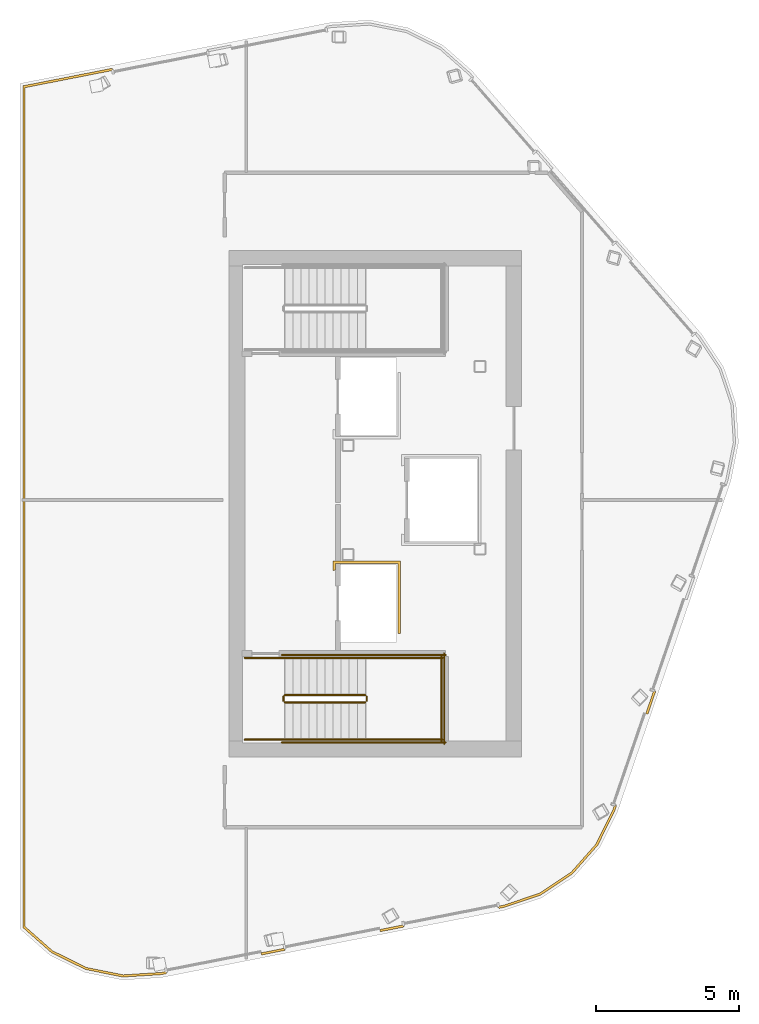
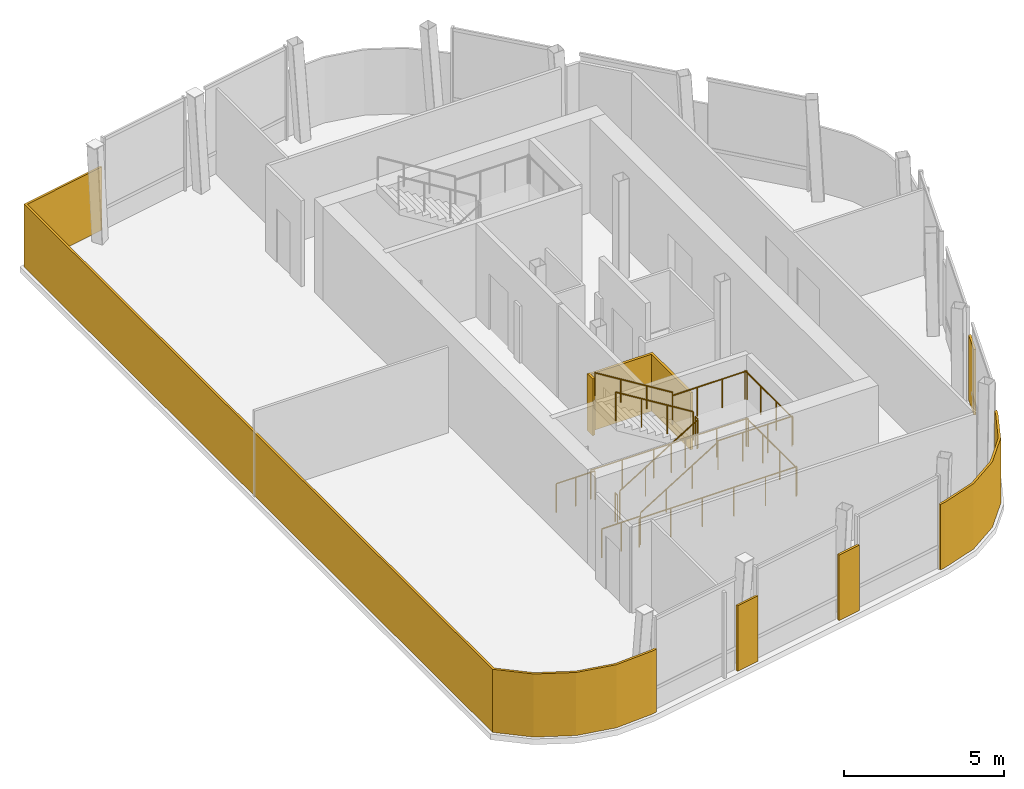
# One storey, part 4 of 5: 14 railings, 6 coverings.
"""IFC4 building model written with IfcOpenShell, lengths in metres."""

from ifc_helpers import new_model, si_unit, direction, frame, origin, origin_2d, place, context, subcontext, project, spatial, polyline, circle, outline, extrude, material, layer, layer_set, type_object, element, save


model = new_model("IFC4")

# Units and contexts
model_context = context("Model", 3, precision=1e-05, world=origin(), true_north=direction((0.0, 1.0)))
body_context = subcontext(model_context, "Body", "Model", "MODEL_VIEW")
ifc_project = project(units=[si_unit("LENGTHUNIT", "METRE"), si_unit("AREAUNIT", "SQUARE_METRE"), si_unit("VOLUMEUNIT", "CUBIC_METRE"), si_unit("PLANEANGLEUNIT", "RADIAN"), si_unit("MASSUNIT", "GRAM", prefix="KILO")], contexts=[model_context])

# Site, building, storey
site_placement = place(None, origin())
site = spatial("IfcSite", under=ifc_project, at=site_placement, CompositionType="ELEMENT")
building_placement = place(site_placement, origin())
building = spatial("IfcBuilding", under=site, at=building_placement, Name="Valkerne Bourse Tower", CompositionType="ELEMENT")
storey_placement = place(building_placement, frame((0.0, 0.0, 330.60009765625)))
storey = spatial("IfcBuildingStorey", under=building, at=storey_placement, Name="L84", CompositionType="ELEMENT", Elevation=330.60009765625)

# Coverings
ifc_material_1 = material(Name="Bronze Anodised Aluminium AA 6063-T6", Category="aluminium")
ifc_layer_1 = layer(ifc_material_1, 0.06005859375)
ifc_layer_set_1 = layer_set([ifc_layer_1], Name="Bronze Anodised Aluminium AA 6063-T6")
covering_type_1 = type_object("IfcCoveringType", Name="COV-CRN-ALUM", PredefinedType="CLADDING", material=ifc_layer_set_1)
covering_1_placement = place(storey_placement, origin())
element("IfcCovering", 1, at=covering_1_placement, inside=storey, type_object=covering_type_1, Name="L84 Wind-Shaped Corner Aluminium Cladding 01", PredefinedType="CLADDING", context=body_context, shape_type="SweptSolid", body=[
    extrude(outline(polyline([(42.13037109375, 42.044189453125), (42.145751953125, 41.965576171875), (39.097900390625, 41.36767578125), (39.097900390625, 12.136474609375), (40.05078125, 11.296630859375), (41.22412109375, 10.714111328125), (42.50830078125, 10.455078125), (43.82763671875, 10.5380859375), (44.01220703125, 10.57421875), (44.027587890625, 10.495849609375), (43.837890625, 10.45849609375), (42.5029296875, 10.37451171875), (41.197998046875, 10.6376953125), (40.005615234375, 11.2294921875), (39.01806640625, 12.100341796875), (39.01806640625, 41.433349609375), (42.13037109375, 42.044189453125)])), origin(), (0.0, 0.0, 1.0), 2.412109375),
])
covering_2_placement = place(storey_placement, origin())
element("IfcCovering", 2, at=covering_2_placement, inside=storey, type_object=covering_type_1, Name="L84 Wind-Shaped Corner Aluminium Cladding 08", PredefinedType="CLADDING", context=body_context, shape_type="SweptSolid", body=[
    extrude(outline(polyline([(60.799072265625, 19.537109375), (60.723388671875, 19.56298828125), (60.99560546875, 20.357666015625), (61.071044921875, 20.331787109375), (60.799072265625, 19.537109375)])), origin(), (0.0, 0.0, 1.0), 2.5),
])
covering_3_placement = place(storey_placement, origin())
element("IfcCovering", 3, at=covering_3_placement, inside=storey, type_object=covering_type_1, Name="L84 Wind-Shaped Corner Aluminium Cladding 09", PredefinedType="CLADDING", context=body_context, shape_type="SweptSolid", body=[
    extrude(outline(polyline([(59.644287109375, 16.1640625), (59.04931640625, 14.9658203125), (58.169189453125, 13.96728515625), (57.060302734375, 13.230712890625), (55.79248046875, 12.80419921875), (55.602783203125, 12.766845703125), (55.58740234375, 12.845458984375), (55.77197265625, 12.881591796875), (57.02490234375, 13.302978515625), (58.1162109375, 14.028076171875), (58.982421875, 15.010986328125), (59.5703125, 16.195068359375), (59.631103515625, 16.372802734375), (59.706787109375, 16.346923828125), (59.644287109375, 16.1640625)])), origin(), (0.0, 0.0, 1.0), 2.5),
])
covering_4_placement = place(storey_placement, origin())
element("IfcCovering", 4, at=covering_4_placement, inside=storey, type_object=covering_type_1, Name="L84 Wind-Shaped Corner Aluminium Cladding 10", PredefinedType="CLADDING", context=body_context, shape_type="SweptSolid", body=[
    extrude(outline(polyline([(51.4697265625, 11.955810546875), (51.454345703125, 12.034423828125), (52.278564453125, 12.1962890625), (52.2939453125, 12.11767578125), (51.4697265625, 11.955810546875)])), origin(), (0.0, 0.0, 1.0), 2.5),
])
covering_5_placement = place(storey_placement, origin())
element("IfcCovering", 5, at=covering_5_placement, inside=storey, type_object=covering_type_1, Name="L84 Wind-Shaped Corner Aluminium Cladding 11", PredefinedType="CLADDING", context=body_context, shape_type="SweptSolid", body=[
    extrude(outline(polyline([(47.33642578125, 11.14501953125), (47.321044921875, 11.223388671875), (48.1455078125, 11.38525390625), (48.160888671875, 11.306640625), (47.33642578125, 11.14501953125)])), origin(), (0.0, 0.0, 1.0), 2.5),
])
ifc_material_2 = material(Name="Gypsum Shaftwall Liner Board", Category="gypsum")
ifc_layer_2 = layer(ifc_material_2, 0.080078125)
ifc_layer_set_2 = layer_set([ifc_layer_2], Name="Gypsum Shaftwall Liner Board")
covering_type_2 = type_object("IfcCoveringType", Name="COV-SHF-CLAD", PredefinedType="CLADDING", material=ifc_layer_set_2)
covering_6_placement = place(storey_placement, origin())
element("IfcCovering", 6, at=covering_6_placement, inside=storey, type_object=covering_type_2, Name="L84 Hoistway & Riser Shaftwall Liner 01", PredefinedType="CLADDING", context=body_context, shape_type="SweptSolid", body=[
    extrude(outline(polyline([(52.090087890625, 22.35009765625), (52.090087890625, 24.7900390625), (49.909912109375, 24.7900390625), (49.909912109375, 24.560791015625), (49.869384765625, 24.550537109375), (49.827880859375, 24.53564453125), (49.820068359375, 24.531982421875), (49.820068359375, 24.8798828125), (52.179931640625, 24.8798828125), (52.179931640625, 22.35009765625), (52.090087890625, 22.35009765625)])), origin(), (0.0, 0.0, 1.0), 2.179931640625),
])

# Railings
ifc_material_3 = material(Name="Galvanised Painted Steel", Category="steel")
railing_type_1 = type_object("IfcRailingType", Name="RLG-ST-GUARD-1120", PredefinedType="GUARDRAIL", material=ifc_material_3)
railing_1_placement = place(storey_placement, frame((48.14990234375, 19.949951171875, 0.172607421875)))
element("IfcRailing", 7, at=railing_1_placement, inside=storey, type_object=railing_type_1, Name="L84 ST-1 stair guard 1", PredefinedType="GUARDRAIL", context=body_context, shape_type="SweptSolid", body=[
    extrude(circle(Radius=0.02392578125, at=origin_2d()), frame((0.0, 0.0, 1.09619140625), z_axis=(0.851089632645, 0.0, 0.525020415988), x_axis=(0.0, 1.0, 0.0)), (0.0, 0.0, 1.0), 3.2900390625),
    extrude(circle(Radius=0.02099609375, at=origin_2d()), origin(), (0.0, 0.0, 1.0), 1.072021484375),
    extrude(circle(Radius=0.02099609375, at=origin_2d()), frame((0.933349609375, 0.0, 0.57568359375)), (0.0, 0.0, 1.0), 1.072021484375),
    extrude(circle(Radius=0.02099609375, at=origin_2d()), frame((1.86669921875, 0.0, 1.151611328125)), (0.0, 0.0, 1.0), 1.072021484375),
    extrude(circle(Radius=0.02099609375, at=origin_2d()), frame((2.800048828125, 0.0, 1.727294921875)), (0.0, 0.0, 1.0), 1.072021484375),
])
railing_2_placement = place(storey_placement, frame((51.0, 20.0, 1.89990234375)))
element("IfcRailing", 8, at=railing_2_placement, inside=storey, type_object=railing_type_1, Name="L84 ST-1 stair guard 2", PredefinedType="GUARDRAIL", context=body_context, shape_type="SweptSolid", body=[
    extrude(circle(Radius=0.02392578125, at=origin_2d()), frame((0.0, 0.0, 1.09619140625), z_axis=(0.0, 1.0, 0.0), x_axis=(-1.0, 0.0, 0.0)), (0.0, 0.0, 1.0), 0.14990234375),
    extrude(circle(Radius=0.02099609375, at=origin_2d()), origin(), (0.0, 0.0, 1.0), 1.072021484375),
    extrude(circle(Radius=0.02099609375, at=origin_2d()), frame((0.0, 0.14990234375, 0.0)), (0.0, 0.0, 1.0), 1.072021484375),
])
for number, where, name in (
    (9, (50.949951171875, 18.64990234375, 1.89990234375), "L84 ST-1 stair guard 3"),
    (10, (50.949951171875, 21.5, 1.89990234375), "L84 ST-1 stair guard 4"),
):
    element("IfcRailing", number, at=place(storey_placement, frame(where)), inside=storey, type_object=railing_type_1, Name=name, PredefinedType="GUARDRAIL", context=body_context, shape_type="SweptSolid", body=[
        extrude(circle(Radius=0.02392578125, at=origin_2d()), frame((0.0, 0.0, 1.09619140625), z_axis=(1.0, 0.0, 0.0), x_axis=(0.0, 1.0, 0.0)), (0.0, 0.0, 1.0), 2.699951171875),
        extrude(circle(Radius=0.02099609375, at=origin_2d()), origin(), (0.0, 0.0, 1.0), 1.072021484375),
        extrude(circle(Radius=0.02099609375, at=origin_2d()), frame((0.89990234375, 0.0, 0.0)), (0.0, 0.0, 1.0), 1.072021484375),
        extrude(circle(Radius=0.02099609375, at=origin_2d()), frame((1.800048828125, 0.0, 0.0)), (0.0, 0.0, 1.0), 1.072021484375),
        extrude(circle(Radius=0.02099609375, at=origin_2d()), frame((2.699951171875, 0.0, 0.0)), (0.0, 0.0, 1.0), 1.072021484375),
    ])
railing_3_placement = place(storey_placement, frame((53.60009765625, 18.60009765625, 1.89990234375)))
element("IfcRailing", 11, at=railing_3_placement, inside=storey, type_object=railing_type_1, Name="L84 ST-1 stair guard 5", PredefinedType="GUARDRAIL", context=body_context, shape_type="SweptSolid", body=[
    extrude(circle(Radius=0.02392578125, at=origin_2d()), frame((0.0, 0.0, 1.09619140625), z_axis=(0.0, 1.0, 0.0), x_axis=(-1.0, 0.0, 0.0)), (0.0, 0.0, 1.0), 2.949951171875),
    extrude(circle(Radius=0.02099609375, at=origin_2d()), origin(), (0.0, 0.0, 1.0), 1.072021484375),
    extrude(circle(Radius=0.02099609375, at=origin_2d()), frame((0.0, 0.9833984375, 0.0)), (0.0, 0.0, 1.0), 1.072021484375),
    extrude(circle(Radius=0.02099609375, at=origin_2d()), frame((0.0, 1.966552734375, 0.0)), (0.0, 0.0, 1.0), 1.072021484375),
    extrude(circle(Radius=0.02099609375, at=origin_2d()), frame((0.0, 2.949951171875, 0.0)), (0.0, 0.0, 1.0), 1.072021484375),
])
railing_4_placement = place(storey_placement, frame((50.949951171875, 20.199951171875, 2.072509765625)))
element("IfcRailing", 12, at=railing_4_placement, inside=storey, type_object=railing_type_1, Name="L84 ST-1 stair guard 6", PredefinedType="GUARDRAIL", context=body_context, shape_type="SweptSolid", body=[
    extrude(circle(Radius=0.02392578125, at=origin_2d()), frame((0.0, 0.0, 1.09619140625), z_axis=(-0.851089632645, 0.0, 0.525020415988), x_axis=(0.0, -1.0, 0.0)), (0.0, 0.0, 1.0), 3.2900390625),
    extrude(circle(Radius=0.02099609375, at=origin_2d()), origin(), (0.0, 0.0, 1.0), 1.072021484375),
    extrude(circle(Radius=0.02099609375, at=origin_2d()), frame((-0.933349609375, 0.0, 0.57568359375)), (0.0, 0.0, 1.0), 1.072021484375),
    extrude(circle(Radius=0.02099609375, at=origin_2d()), frame((-1.86669921875, 0.0, 1.151611328125)), (0.0, 0.0, 1.0), 1.072021484375),
    extrude(circle(Radius=0.02099609375, at=origin_2d()), frame((-2.800048828125, 0.0, 1.727294921875)), (0.0, 0.0, 1.0), 1.072021484375),
])
railing_5_placement = place(storey_placement, frame((48.10009765625, 20.0, 0.0)))
element("IfcRailing", 13, at=railing_5_placement, inside=storey, type_object=railing_type_1, Name="L84 ST-1 stair guard 7", PredefinedType="GUARDRAIL", context=body_context, shape_type="SweptSolid", body=[
    extrude(circle(Radius=0.02392578125, at=origin_2d()), frame((0.0, 0.0, 1.09619140625), z_axis=(0.0, 1.0, 0.0), x_axis=(-1.0, 0.0, 0.0)), (0.0, 0.0, 1.0), 0.14990234375),
    extrude(circle(Radius=0.02099609375, at=origin_2d()), origin(), (0.0, 0.0, 1.0), 1.072021484375),
    extrude(circle(Radius=0.02099609375, at=origin_2d()), frame((0.0, 0.14990234375, 0.0)), (0.0, 0.0, 1.0), 1.072021484375),
])
for number, where, name in (
    (14, (46.75, 18.64990234375, 0.0), "L84 ST-1 stair guard 8"),
    (15, (46.75, 21.5, 0.0), "L84 ST-1 stair guard 9"),
):
    element("IfcRailing", number, at=place(storey_placement, frame(where)), inside=storey, type_object=railing_type_1, Name=name, PredefinedType="GUARDRAIL", context=body_context, shape_type="SweptSolid", body=[
        extrude(circle(Radius=0.02392578125, at=origin_2d()), frame((0.0, 0.0, 1.09619140625), z_axis=(1.0, 0.0, 0.0), x_axis=(0.0, 1.0, 0.0)), (0.0, 0.0, 1.0), 1.39990234375),
        extrude(circle(Radius=0.02099609375, at=origin_2d()), origin(), (0.0, 0.0, 1.0), 1.072021484375),
        extrude(circle(Radius=0.02099609375, at=origin_2d()), frame((0.699951171875, 0.0, 0.0)), (0.0, 0.0, 1.0), 1.072021484375),
        extrude(circle(Radius=0.02099609375, at=origin_2d()), frame((1.39990234375, 0.0, 0.0)), (0.0, 0.0, 1.0), 1.072021484375),
    ])
for number, where, name in (
    (16, (48.050048828125, 18.550048828125, 0.0), "L84 ST-1 stair guard 10"),
    (17, (48.050048828125, 21.60009765625, 0.0), "L84 ST-1 stair guard 11"),
):
    element("IfcRailing", number, at=place(storey_placement, frame(where)), inside=storey, type_object=railing_type_1, Name=name, PredefinedType="GUARDRAIL", context=body_context, shape_type="SweptSolid", body=[
        extrude(circle(Radius=0.02392578125, at=origin_2d()), frame((0.0, 0.0, 1.09619140625), z_axis=(1.0, 0.0, 0.0), x_axis=(0.0, 1.0, 0.0)), (0.0, 0.0, 1.0), 5.699951171875),
        extrude(circle(Radius=0.02099609375, at=origin_2d()), origin(), (0.0, 0.0, 1.0), 1.072021484375),
        extrude(circle(Radius=0.02099609375, at=origin_2d()), frame((1.139892578125, 0.0, 0.0)), (0.0, 0.0, 1.0), 1.072021484375),
        extrude(circle(Radius=0.02099609375, at=origin_2d()), frame((2.280029296875, 0.0, 0.0)), (0.0, 0.0, 1.0), 1.072021484375),
        extrude(circle(Radius=0.02099609375, at=origin_2d()), frame((3.419921875, 0.0, 0.0)), (0.0, 0.0, 1.0), 1.072021484375),
        extrude(circle(Radius=0.02099609375, at=origin_2d()), frame((4.56005859375, 0.0, 0.0)), (0.0, 0.0, 1.0), 1.072021484375),
        extrude(circle(Radius=0.02099609375, at=origin_2d()), frame((5.699951171875, 0.0, 0.0)), (0.0, 0.0, 1.0), 1.072021484375),
    ])
railing_6_placement = place(storey_placement, frame((53.699951171875, 18.5, 0.0)))
element("IfcRailing", 18, at=railing_6_placement, inside=storey, type_object=railing_type_1, Name="L84 ST-1 stair guard 12", PredefinedType="GUARDRAIL", context=body_context, shape_type="SweptSolid", body=[
    extrude(circle(Radius=0.02392578125, at=origin_2d()), frame((0.0, 0.0, 1.09619140625), z_axis=(0.0, 1.0, 0.0), x_axis=(-1.0, 0.0, 0.0)), (0.0, 0.0, 1.0), 3.14990234375),
    extrude(circle(Radius=0.02099609375, at=origin_2d()), origin(), (0.0, 0.0, 1.0), 1.072021484375),
    extrude(circle(Radius=0.02099609375, at=origin_2d()), frame((0.0, 1.050048828125, 0.0)), (0.0, 0.0, 1.0), 1.072021484375),
    extrude(circle(Radius=0.02099609375, at=origin_2d()), frame((0.0, 2.099853515625, 0.0)), (0.0, 0.0, 1.0), 1.072021484375),
    extrude(circle(Radius=0.02099609375, at=origin_2d()), frame((0.0, 3.14990234375, 0.0)), (0.0, 0.0, 1.0), 1.072021484375),
])
ifc_material_4 = material(Name="Stainless Steel AISI 316", Category="steel")
railing_type_2 = type_object("IfcRailingType", Name="RLG-ST-HANDRAIL-900", PredefinedType="HANDRAIL", material=ifc_material_4)
railing_7_placement = place(storey_placement, frame((48.14990234375, 18.64990234375, 0.345458984375)))
element("IfcRailing", 19, at=railing_7_placement, inside=storey, type_object=railing_type_2, Name="L84 ST-1 stair handrail 1", PredefinedType="HANDRAIL", context=body_context, shape_type="SweptSolid", body=[
    extrude(circle(Radius=0.02392578125, at=origin_2d()), frame((0.0, 0.0, 0.8759765625), z_axis=(0.851122791225, 0.0, 0.524966660138), x_axis=(0.0, 1.0, 0.0)), (0.0, 0.0, 1.0), 3.289794921875),
    extrude(circle(Radius=0.02099609375, at=origin_2d()), origin(), (0.0, 0.0, 1.0), 0.851806640625),
    extrude(circle(Radius=0.02099609375, at=origin_2d()), frame((0.933349609375, 0.0, 0.57568359375)), (0.0, 0.0, 1.0), 0.851806640625),
    extrude(circle(Radius=0.02099609375, at=origin_2d()), frame((1.86669921875, 0.0, 1.1513671875)), (0.0, 0.0, 1.0), 0.851806640625),
    extrude(circle(Radius=0.02099609375, at=origin_2d()), frame((2.800048828125, 0.0, 1.72705078125)), (0.0, 0.0, 1.0), 0.851806640625),
])
railing_8_placement = place(storey_placement, frame((50.949951171875, 21.5, 2.245361328125)))
element("IfcRailing", 20, at=railing_8_placement, inside=storey, type_object=railing_type_2, Name="L84 ST-1 stair handrail 2", PredefinedType="HANDRAIL", context=body_context, shape_type="SweptSolid", body=[
    extrude(circle(Radius=0.02392578125, at=origin_2d()), frame((0.0, 0.0, 0.8759765625), z_axis=(-0.851089632645, 0.0, 0.525020415988), x_axis=(0.0, -1.0, 0.0)), (0.0, 0.0, 1.0), 3.2900390625),
    extrude(circle(Radius=0.02099609375, at=origin_2d()), origin(), (0.0, 0.0, 1.0), 0.851806640625),
    extrude(circle(Radius=0.02099609375, at=origin_2d()), frame((-0.933349609375, 0.0, 0.57568359375)), (0.0, 0.0, 1.0), 0.851806640625),
    extrude(circle(Radius=0.02099609375, at=origin_2d()), frame((-1.86669921875, 0.0, 1.151611328125)), (0.0, 0.0, 1.0), 0.851806640625),
    extrude(circle(Radius=0.02099609375, at=origin_2d()), frame((-2.800048828125, 0.0, 1.727294921875)), (0.0, 0.0, 1.0), 0.851806640625),
])

save(model, "model.ifc")
